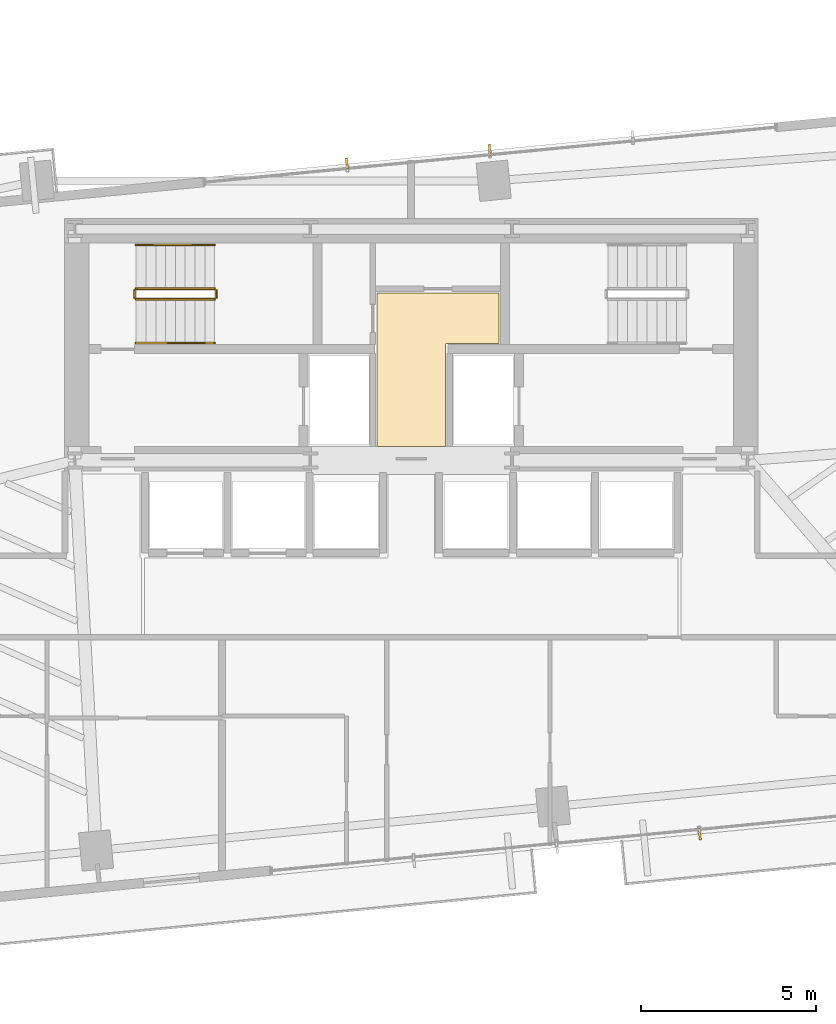
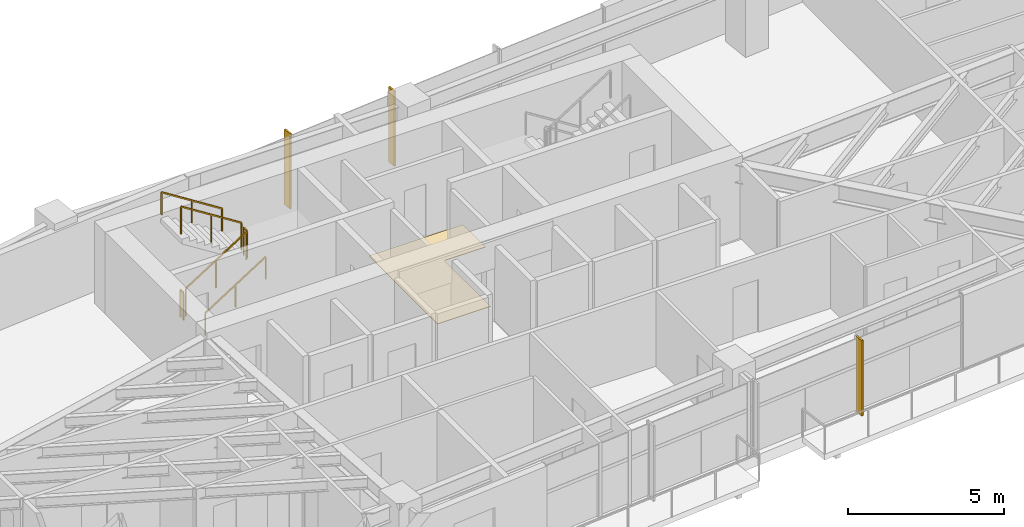
# One storey, part 24 of 25: 6 railings, 3 shading devices, 1 covering.
"""IFC4 building model written with IfcOpenShell, lengths in metres."""

from ifc_helpers import new_model, si_unit, direction, frame, origin, origin_2d, place, context, subcontext, project, spatial, polyline, rectangle, outline, extrude, source, transform, mapped, material, layer, layer_set, type_object, type_shapes, element, save


model = new_model("IFC4")

# Units and contexts
model_context = context("Model", 3, precision=1e-05, world=origin(), true_north=direction((0.0, 1.0)))
body_context = subcontext(model_context, "Body", "Model", "MODEL_VIEW")
ifc_project = project(units=[si_unit("LENGTHUNIT", "METRE"), si_unit("AREAUNIT", "SQUARE_METRE"), si_unit("VOLUMEUNIT", "CUBIC_METRE"), si_unit("PLANEANGLEUNIT", "RADIAN"), si_unit("MASSUNIT", "GRAM", prefix="KILO")], contexts=[model_context])

# Site, building, storey
site_placement = place(None, origin())
site = spatial("IfcSite", under=ifc_project, at=site_placement, CompositionType="ELEMENT")
building_placement = place(site_placement, origin())
building = spatial("IfcBuilding", under=site, at=building_placement, Name="Astriad Promenade Condominiums", CompositionType="ELEMENT")
storey_placement = place(building_placement, frame((0.0, 0.0, 77.800048828125)))
storey = spatial("IfcBuildingStorey", under=building, at=storey_placement, Name="L21", CompositionType="ELEMENT", Elevation=77.800048828125)

# Covering
ifc_material_1 = material(Name="Polished Lakefront Terrazzo Flooring")
ifc_layer = layer(ifc_material_1, 0.02001953125)
ifc_layer_set = layer_set([ifc_layer], Name="Polished Lakefront Terrazzo Flooring")
covering_type = type_object("IfcCoveringType", Name="COV-FLOR-TERRAZZO-20", PredefinedType="FLOORING", material=ifc_layer_set)
covering_placement = place(storey_placement, origin())
element("IfcCovering", 1, at=covering_placement, inside=storey, type_object=covering_type, Name="FLR-L21-CSL", PredefinedType="FLOORING", context=body_context, shape_type="SweptSolid", body=[
    extrude(outline(polyline([(36.97998046875, 20.699951171875), (36.97998046875, 17.7900390625), (35.02001953125, 17.7900390625), (35.02001953125, 22.179931640625), (38.5, 22.179931640625), (38.5, 20.739990234375), (37.02001953125, 20.739990234375), (37.01611328125, 20.73974609375), (37.01220703125, 20.7392578125), (37.00830078125, 20.73828125), (37.004638671875, 20.737060546875), (37.001220703125, 20.7353515625), (36.997802734375, 20.7333984375), (36.99462890625, 20.73095703125), (36.99169921875, 20.728271484375), (36.989013671875, 20.725341796875), (36.98681640625, 20.72216796875), (36.984619140625, 20.718994140625), (36.98291015625, 20.71533203125), (36.981689453125, 20.711669921875), (36.980712890625, 20.707763671875), (36.980224609375, 20.703857421875), (36.97998046875, 20.699951171875)])), origin(), (0.0, 0.0, 1.0), 0.02001953125),
])

# Shading devices
ifc_material_2 = material(Name="Anodised aluminium 6063-T6 Black Fin", Category="aluminium")
shading_device_type = type_object("IfcShadingDeviceType", Name="FIN-BLACK-320", PredefinedType="USERDEFINED", material=ifc_material_2)
shared_shape_1 = source(origin(), body_context, "Body", "SweptSolid", [
    extrude(rectangle(XDim=0.06494140625, YDim=0.320068359375, at=origin_2d()), origin(), (0.0, 0.0, 1.0), 2.93994140625),
])
type_shapes(shading_device_type, [shared_shape_1])
for number, where, z_axis, x_axis, name in (
    (2, (34.164306640625, 25.87158203125, 0.0), (0.0, 0.0, 1.0), (0.995396198367, 0.09584575252, 0.0), "CW-L21-N-FIN-01"),
    (3, (38.240478515625, 26.263916015625, 0.0), (0.0, 0.0, 1.0), (0.995396198367, 0.09584575252, 0.0), "CW-L21-N-FIN-02"),
    (4, (44.235595703125, 6.728515625, 0.0), (0.0, 0.0, 1.0), (-0.995396198367, -0.09584575252, 0.0), "CW-L21-S-FIN-01"),
):
    element("IfcShadingDevice", number, at=place(storey_placement, frame(where, z_axis=z_axis, x_axis=x_axis)), inside=storey, type_object=shading_device_type, Name=name, ObjectType="FIN", PredefinedType="USERDEFINED", context=body_context, shape_type="MappedRepresentation", body=[
        mapped(shared_shape_1, transform((0.0, 0.0, 0.0), scale=1.0)),
    ])

# Railings
ifc_material_3 = material(Name="Painted Galvanised Steel Guardrail", Category="steel")
railing_type_1 = type_object("IfcRailingType", Name="GRD-STAIR-1100", PredefinedType="GUARDRAIL", material=ifc_material_3)
shared_shape_2 = source(origin(), body_context, "Body", "SweptSolid", [
    extrude(rectangle(XDim=0.048095703125, YDim=0.048095703125, at=origin_2d()), frame((0.0, 0.0, 1.076171875), z_axis=(0.0, 1.0, 0.0), x_axis=(-1.0, 0.0, 0.0)), (0.0, 0.0, 1.0), 0.199951171875),
    extrude(rectangle(XDim=0.0419921875, YDim=0.0419921875, at=origin_2d()), origin(), (0.0, 0.0, 1.0), 1.052001953125),
    extrude(rectangle(XDim=0.0419921875, YDim=0.0419921875, at=origin_2d()), frame((0.0, 0.199951171875, 0.0)), (0.0, 0.0, 1.0), 1.052001953125),
])
for number, where, name in (
    (5, (30.43994140625, 22.050048828125, 1.599853515625), "L21 ST-1 stair guard 2"),
    (6, (28.10009765625, 22.050048828125, 0.0), "L21 ST-1 stair guard 4"),
):
    element("IfcRailing", number, at=place(storey_placement, frame(where)), inside=storey, type_object=railing_type_1, Name=name, PredefinedType="GUARDRAIL", context=body_context, shape_type="MappedRepresentation", body=[
        mapped(shared_shape_2, transform((0.0, 0.0, 0.0), scale=1.0)),
    ])
shared_shape_3 = source(origin(), body_context, "Body", "SweptSolid", [
    extrude(rectangle(XDim=0.048095703125, YDim=0.048095703125, at=origin_2d()), frame((0.0, 0.0, 1.076171875), z_axis=(-0.8442293374, 0.0, 0.53598211339), x_axis=(0.0, -1.0, 0.0)), (0.0, 0.0, 1.0), 2.6533203125),
    extrude(rectangle(XDim=0.0419921875, YDim=0.0419921875, at=origin_2d()), origin(), (0.0, 0.0, 1.0), 1.052001953125),
    extrude(rectangle(XDim=0.0419921875, YDim=0.0419921875, at=origin_2d()), frame((-1.1201171875, 0.0, 0.7109375)), (0.0, 0.0, 1.0), 1.052001953125),
    extrude(rectangle(XDim=0.0419921875, YDim=0.0419921875, at=origin_2d()), frame((-2.239990234375, 0.0, 1.422119140625)), (0.0, 0.0, 1.0), 1.052001953125),
])
railing_1_placement = place(storey_placement, frame((30.389892578125, 22.300048828125, 1.77783203125)))
element("IfcRailing", 7, at=railing_1_placement, inside=storey, type_object=railing_type_1, Name="L21 ST-1 stair guard 3", PredefinedType="GUARDRAIL", context=body_context, shape_type="MappedRepresentation", body=[
    mapped(shared_shape_3, transform((0.0, 0.0, 0.0), scale=1.0)),
])
ifc_material_4 = material(Name="Brushed Stainless Steel Handrail", Category="steel")
railing_type_2 = type_object("IfcRailingType", Name="HRL-STAIR-920", PredefinedType="HANDRAIL", material=ifc_material_4)
shared_shape_4 = source(origin(), body_context, "Body", "SweptSolid", [
    extrude(rectangle(XDim=0.048095703125, YDim=0.048095703125, at=origin_2d()), frame((0.0, 0.0, 0.8759765625), z_axis=(-0.8442293374, 0.0, 0.53598211339), x_axis=(0.0, -1.0, 0.0)), (0.0, 0.0, 1.0), 2.6533203125),
    extrude(rectangle(XDim=0.0419921875, YDim=0.0419921875, at=origin_2d()), origin(), (0.0, 0.0, 1.0), 0.851806640625),
    extrude(rectangle(XDim=0.0419921875, YDim=0.0419921875, at=origin_2d()), frame((-1.1201171875, 0.0, 0.7109375)), (0.0, 0.0, 1.0), 0.851806640625),
    extrude(rectangle(XDim=0.0419921875, YDim=0.0419921875, at=origin_2d()), frame((-2.239990234375, 0.0, 1.422119140625)), (0.0, 0.0, 1.0), 0.851806640625),
])
railing_2_placement = place(storey_placement, frame((30.389892578125, 23.550048828125, 1.77783203125)))
element("IfcRailing", 8, at=railing_2_placement, inside=storey, type_object=railing_type_2, Name="L21 ST-1 stair handrail 2", PredefinedType="HANDRAIL", context=body_context, shape_type="MappedRepresentation", body=[
    mapped(shared_shape_4, transform((0.0, 0.0, 0.0), scale=1.0)),
])
shared_shape_5 = source(origin(), body_context, "Body", "SweptSolid", [
    extrude(rectangle(XDim=0.048095703125, YDim=0.048095703125, at=origin_2d()), frame((0.0, 0.0, 1.076171875), z_axis=(0.8442293374, 0.0, 0.53598211339), x_axis=(0.0, 1.0, 0.0)), (0.0, 0.0, 1.0), 2.6533203125),
    extrude(rectangle(XDim=0.0419921875, YDim=0.0419921875, at=origin_2d()), origin(), (0.0, 0.0, 1.0), 1.052001953125),
    extrude(rectangle(XDim=0.0419921875, YDim=0.0419921875, at=origin_2d()), frame((1.1201171875, 0.0, 0.7109375)), (0.0, 0.0, 1.0), 1.052001953125),
    extrude(rectangle(XDim=0.0419921875, YDim=0.0419921875, at=origin_2d()), frame((2.239990234375, 0.0, 1.422119140625)), (0.0, 0.0, 1.0), 1.052001953125),
])
type_shapes(railing_type_1, [shared_shape_2, shared_shape_3, shared_shape_5])
railing_3_placement = place(storey_placement, frame((28.14990234375, 22.0, 0.177734375)))
element("IfcRailing", 9, at=railing_3_placement, inside=storey, type_object=railing_type_1, Name="L21 ST-1 stair guard 1", PredefinedType="GUARDRAIL", context=body_context, shape_type="MappedRepresentation", body=[
    mapped(shared_shape_5, transform((0.0, 0.0, 0.0), scale=1.0)),
])
shared_shape_6 = source(origin(), body_context, "Body", "SweptSolid", [
    extrude(rectangle(XDim=0.048095703125, YDim=0.048095703125, at=origin_2d()), frame((0.0, 0.0, 0.8759765625), z_axis=(0.8442293374, 0.0, 0.53598211339), x_axis=(0.0, 1.0, 0.0)), (0.0, 0.0, 1.0), 2.6533203125),
    extrude(rectangle(XDim=0.0419921875, YDim=0.0419921875, at=origin_2d()), origin(), (0.0, 0.0, 1.0), 0.851806640625),
    extrude(rectangle(XDim=0.0419921875, YDim=0.0419921875, at=origin_2d()), frame((1.1201171875, 0.0, 0.7109375)), (0.0, 0.0, 1.0), 0.851806640625),
    extrude(rectangle(XDim=0.0419921875, YDim=0.0419921875, at=origin_2d()), frame((2.239990234375, 0.0, 1.422119140625)), (0.0, 0.0, 1.0), 0.851806640625),
])
type_shapes(railing_type_2, [shared_shape_4, shared_shape_6])
railing_4_placement = place(storey_placement, frame((28.14990234375, 20.75, 0.177734375)))
element("IfcRailing", 10, at=railing_4_placement, inside=storey, type_object=railing_type_2, Name="L21 ST-1 stair handrail 1", PredefinedType="HANDRAIL", context=body_context, shape_type="MappedRepresentation", body=[
    mapped(shared_shape_6, transform((0.0, 0.0, 0.0), scale=1.0)),
])

save(model, "model.ifc")
